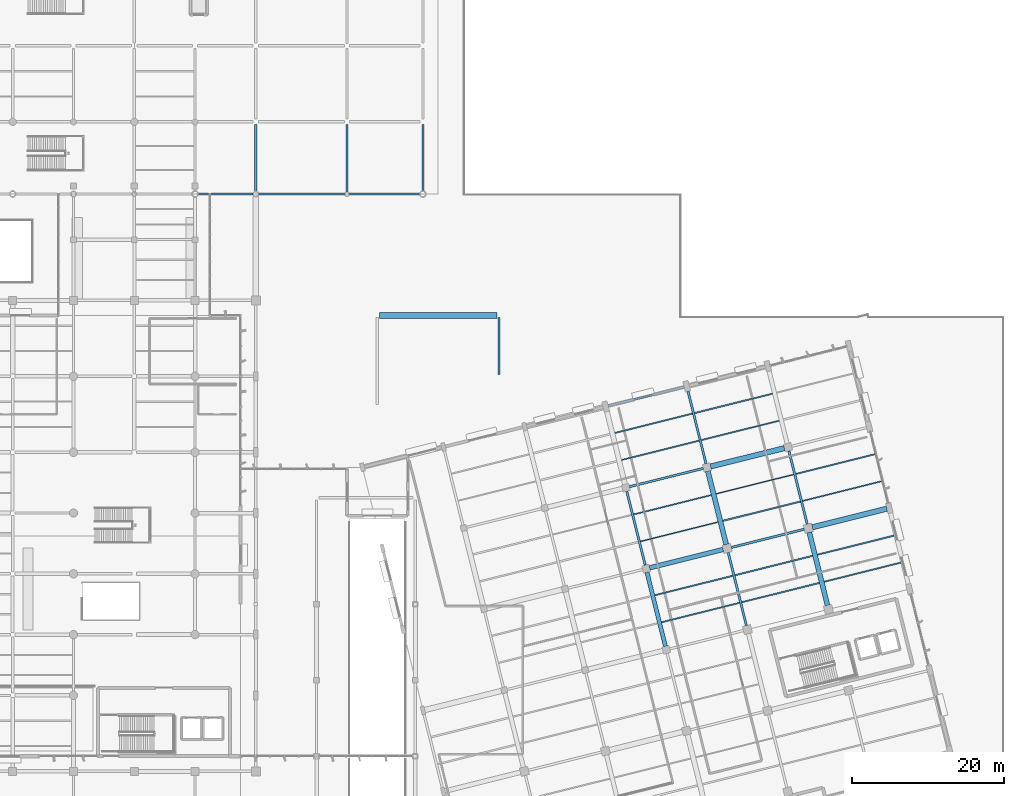
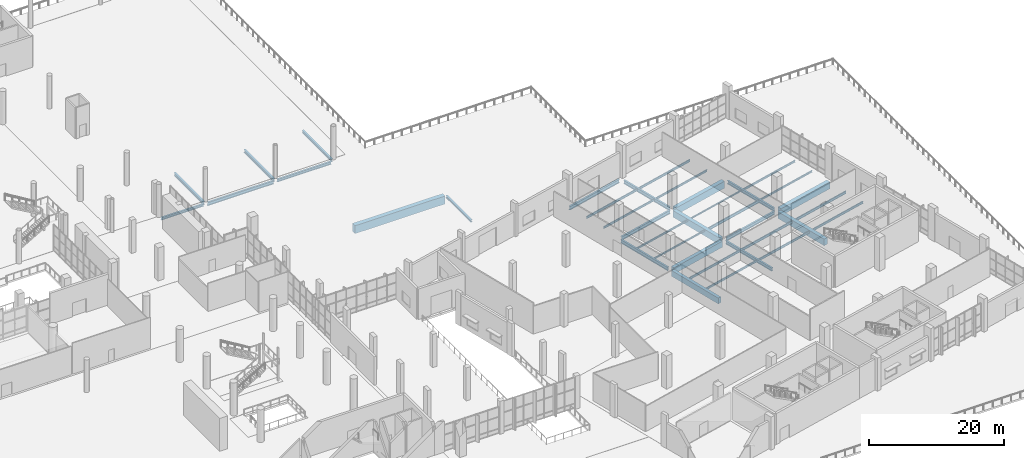
# One storey, part 101 of 163: 37 beams.
"""IFC4 building model written with IfcOpenShell, lengths in metres."""

from ifc_helpers import new_model, si_unit, direction, frame, origin, origin_2d, place, context, subcontext, project, spatial, rectangle, i_section, extrude, material, material_profile, profile_set, type_object, element, save


model = new_model("IFC4")

# Units and contexts
model_context = context("Model", 3, precision=1e-05, world=origin(), true_north=direction((0.0, 1.0)))
body_context = subcontext(model_context, "Body", "Model", "MODEL_VIEW")
ifc_project = project(units=[si_unit("LENGTHUNIT", "METRE"), si_unit("AREAUNIT", "SQUARE_METRE"), si_unit("VOLUMEUNIT", "CUBIC_METRE"), si_unit("PLANEANGLEUNIT", "RADIAN"), si_unit("MASSUNIT", "GRAM", prefix="KILO")], contexts=[model_context])

# Site, building, storey
site_placement = place(None, origin())
site = spatial("IfcSite", under=ifc_project, at=site_placement, CompositionType="ELEMENT")
building_placement = place(site_placement, origin())
building = spatial("IfcBuilding", under=site, at=building_placement, Name="Khorjan Park Terminus", CompositionType="ELEMENT")
storey_placement = place(building_placement, origin())
storey = spatial("IfcBuildingStorey", under=building, at=storey_placement, Name="L00", CompositionType="ELEMENT", Elevation=0.0)

# Beams
ifc_material_1 = material(Name="Steel S355", Category="steel")
ifc_material_profile_1 = material_profile(ifc_material_1, i_section(OverallWidth=0.3, OverallDepth=0.44, WebThickness=0.0115, FlangeThickness=0.021, FilletRadius=0.027, at=origin_2d()), Name="HEA 450")
ifc_profile_set_1 = profile_set([ifc_material_profile_1], Name="Steel S355")
beam_type_1 = type_object("IfcBeamType", Name="BM-HEA450", PredefinedType="BEAM", material=ifc_profile_set_1)
beam_1_placement = place(storey_placement, frame((128.4015, 102.0, -0.6), z_axis=(1.0, 0.0, 0.0), x_axis=(0.0, 1.0, 0.0)))
element("IfcBeam", 1, at=beam_1_placement, inside=storey, type_object=beam_type_1, Name="Primary floor girder SB-A45 (L00)", PredefinedType="BEAM", context=body_context, shape_type="SweptSolid", body=[
    extrude(i_section(OverallWidth=0.3, OverallDepth=0.44, WebThickness=0.0115, FlangeThickness=0.021, FilletRadius=0.027, at=origin_2d()), origin(), (0.0, 0.0, 1.0), 7.248),
])
ifc_material_profile_2 = material_profile(ifc_material_1, i_section(OverallWidth=0.3, OverallDepth=0.49, WebThickness=0.012, FlangeThickness=0.023, FilletRadius=0.027, at=origin_2d()), Name="HEA 500")
ifc_profile_set_2 = profile_set([ifc_material_profile_2], Name="Steel S355")
beam_type_2 = type_object("IfcBeamType", Name="BM-HEA500", PredefinedType="BEAM", material=ifc_profile_set_2)
beam_2_placement = place(storey_placement, frame((148.3, 102.0, -0.625), z_axis=(1.0, 0.0, 0.0), x_axis=(0.0, 1.0, 0.0)))
element("IfcBeam", 2, at=beam_2_placement, inside=storey, type_object=beam_type_2, Name="Primary floor girder SB-A50 (L00)", PredefinedType="BEAM", context=body_context, shape_type="SweptSolid", body=[
    extrude(i_section(OverallWidth=0.3, OverallDepth=0.49, WebThickness=0.012, FlangeThickness=0.023, FilletRadius=0.027, at=origin_2d()), origin(), (0.0, 0.0, 1.0), 9.2985),
])
beam_3_placement = place(storey_placement, frame((158.0, 102.4015, -0.625), z_axis=(0.0, 1.0, 0.0), x_axis=(-1.0, 0.0, 0.0)))
element("IfcBeam", 3, at=beam_3_placement, inside=storey, type_object=beam_type_2, Name="Primary floor girder SB-A50 (L00)", PredefinedType="BEAM", context=body_context, shape_type="SweptSolid", body=[
    extrude(i_section(OverallWidth=0.3, OverallDepth=0.49, WebThickness=0.012, FlangeThickness=0.023, FilletRadius=0.027, at=origin_2d()), origin(), (0.0, 0.0, 1.0), 8.7285),
])
ifc_material_profile_3 = material_profile(ifc_material_1, i_section(OverallWidth=0.3, OverallDepth=0.54, WebThickness=0.0125, FlangeThickness=0.024, FilletRadius=0.027, at=origin_2d()), Name="HEA 550")
ifc_profile_set_3 = profile_set([ifc_material_profile_3], Name="Steel S355")
beam_type_3 = type_object("IfcBeamType", Name="BM-HEA550", PredefinedType="BEAM", material=ifc_profile_set_3)
beam_4_placement = place(storey_placement, frame((148.0, 102.3, -0.65), z_axis=(0.0, 1.0, 0.0), x_axis=(-1.0, 0.0, 0.0)))
element("IfcBeam", 4, at=beam_4_placement, inside=storey, type_object=beam_type_3, Name="Primary floor girder SB-A55 (L00)", PredefinedType="BEAM", context=body_context, shape_type="SweptSolid", body=[
    extrude(i_section(OverallWidth=0.3, OverallDepth=0.54, WebThickness=0.0125, FlangeThickness=0.024, FilletRadius=0.027, at=origin_2d()), origin(), (0.0, 0.0, 1.0), 8.855),
])
ifc_material_profile_4 = material_profile(ifc_material_1, i_section(OverallWidth=0.3, OverallDepth=0.59, WebThickness=0.013, FlangeThickness=0.025, FilletRadius=0.027, at=origin_2d()), Name="HEA 600")
ifc_profile_set_4 = profile_set([ifc_material_profile_4], Name="Steel S355")
beam_type_4 = type_object("IfcBeamType", Name="BM-HEA600", PredefinedType="BEAM", material=ifc_profile_set_4)
beam_5_placement = place(storey_placement, frame((200.5777, 45.1931, -0.645), z_axis=(-0.241915884168, 0.970297225074, 0.0), x_axis=(-0.970297225074, -0.241915884168, 0.0)))
element("IfcBeam", 5, at=beam_5_placement, inside=storey, type_object=beam_type_4, Name="Primary skew-grid floor girder SB-A60 (L00)", PredefinedType="BEAM", context=body_context, shape_type="SweptSolid", body=[
    extrude(i_section(OverallWidth=0.3, OverallDepth=0.59, WebThickness=0.013, FlangeThickness=0.025, FilletRadius=0.027, at=origin_2d()), origin(), (0.0, 0.0, 1.0), 9.9101),
])
beam_6_placement = place(storey_placement, frame((208.5899, 58.5275, -0.645), z_axis=(-0.241926084459, 0.970294681867, 0.0), x_axis=(-0.970294681867, -0.241926084459, 0.0)))
element("IfcBeam", 6, at=beam_6_placement, inside=storey, type_object=beam_type_4, Name="Primary skew-grid floor girder SB-A60 (L00)", PredefinedType="BEAM", context=body_context, shape_type="SweptSolid", body=[
    extrude(i_section(OverallWidth=0.3, OverallDepth=0.59, WebThickness=0.013, FlangeThickness=0.025, FilletRadius=0.027, at=origin_2d()), origin(), (0.0, 0.0, 1.0), 9.9601),
])
ifc_material_profile_5 = material_profile(ifc_material_1, i_section(OverallWidth=0.3, OverallDepth=0.64, WebThickness=0.0135, FlangeThickness=0.026, FilletRadius=0.027, at=origin_2d()), Name="HEA 650")
ifc_profile_set_5 = profile_set([ifc_material_profile_5], Name="Steel S355")
beam_type_5 = type_object("IfcBeamType", Name="BM-HEA650", PredefinedType="BEAM", material=ifc_profile_set_5)
beam_7_placement = place(storey_placement, frame((185.1701, 63.4634, -0.67), z_axis=(0.970295301267, 0.24192360021, 0.0), x_axis=(-0.24192360021, 0.970295301267, 0.0)))
element("IfcBeam", 7, at=beam_7_placement, inside=storey, type_object=beam_type_5, Name="Primary skew-grid floor girder SB-A65 (L00)", PredefinedType="BEAM", context=body_context, shape_type="SweptSolid", body=[
    extrude(i_section(OverallWidth=0.3, OverallDepth=0.64, WebThickness=0.0135, FlangeThickness=0.026, FilletRadius=0.027, at=origin_2d()), origin(), (0.0, 0.0, 1.0), 10.035),
])
beam_8_placement = place(storey_placement, frame((182.3877, 74.1064, -0.67), z_axis=(0.970295784153, 0.241921663468, 0.0), x_axis=(-0.241921663468, 0.970295784153, 0.0)))
element("IfcBeam", 8, at=beam_8_placement, inside=storey, type_object=beam_type_5, Name="Primary skew-grid floor girder SB-A65 (L00)", PredefinedType="BEAM", context=body_context, shape_type="SweptSolid", body=[
    extrude(i_section(OverallWidth=0.3, OverallDepth=0.64, WebThickness=0.0135, FlangeThickness=0.026, FilletRadius=0.027, at=origin_2d()), origin(), (0.0, 0.0, 1.0), 10.3099),
])
beam_9_placement = place(storey_placement, frame((187.2615, 53.1325, -0.67), z_axis=(-0.241920438591, 0.970296089548, 0.0), x_axis=(-0.970296089548, -0.241920438591, 0.0)))
element("IfcBeam", 9, at=beam_9_placement, inside=storey, type_object=beam_type_5, Name="Primary skew-grid floor girder SB-A65 (L00)", PredefinedType="BEAM", context=body_context, shape_type="SweptSolid", body=[
    extrude(i_section(OverallWidth=0.3, OverallDepth=0.64, WebThickness=0.0135, FlangeThickness=0.026, FilletRadius=0.027, at=origin_2d()), origin(), (0.0, 0.0, 1.0), 10.0599),
])
beam_10_placement = place(storey_placement, frame((195.2676, 66.4911, -0.67), z_axis=(-0.241926355562, 0.970294614272, 0.0), x_axis=(-0.970294614272, -0.241926355562, 0.0)))
element("IfcBeam", 10, at=beam_10_placement, inside=storey, type_object=beam_type_5, Name="Primary skew-grid floor girder SB-A65 (L00)", PredefinedType="BEAM", context=body_context, shape_type="SweptSolid", body=[
    extrude(i_section(OverallWidth=0.3, OverallDepth=0.64, WebThickness=0.0135, FlangeThickness=0.026, FilletRadius=0.027, at=origin_2d()), origin(), (0.0, 0.0, 1.0), 9.81),
])
ifc_material_profile_6 = material_profile(ifc_material_1, i_section(OverallWidth=0.3, OverallDepth=0.4, WebThickness=0.0135, FlangeThickness=0.024, FilletRadius=0.027, at=origin_2d()), Name="HEB 400")
ifc_profile_set_6 = profile_set([ifc_material_profile_6], Name="Steel S355")
beam_type_6 = type_object("IfcBeamType", Name="BM-HEB400", PredefinedType="BEAM", material=ifc_profile_set_6)
beam_11_placement = place(storey_placement, frame((168.0, 78.27, -0.52), z_axis=(0.0, 1.0, 0.0), x_axis=(-1.0, 0.0, 0.0)))
element("IfcBeam", 11, at=beam_11_placement, inside=storey, type_object=beam_type_6, Name="Primary floor girder SB-B40 (L00)", PredefinedType="BEAM", context=body_context, shape_type="SweptSolid", body=[
    extrude(i_section(OverallWidth=0.3, OverallDepth=0.4, WebThickness=0.0135, FlangeThickness=0.024, FilletRadius=0.027, at=origin_2d()), origin(), (0.0, 0.0, 1.0), 7.46),
])
ifc_material_profile_7 = material_profile(ifc_material_1, i_section(OverallWidth=0.3, OverallDepth=0.55, WebThickness=0.015, FlangeThickness=0.029, FilletRadius=0.027, at=origin_2d()), Name="HEB 550")
ifc_profile_set_7 = profile_set([ifc_material_profile_7], Name="Steel S355")
beam_type_7 = type_object("IfcBeamType", Name="BM-HEB550", PredefinedType="BEAM", material=ifc_profile_set_7)
beam_12_placement = place(storey_placement, frame((136.0, 102.3505, -0.655), z_axis=(0.0, 1.0, 0.0), x_axis=(-1.0, 0.0, 0.0)))
element("IfcBeam", 12, at=beam_12_placement, inside=storey, type_object=beam_type_7, Name="Primary floor girder SB-B55 (L00)", PredefinedType="BEAM", context=body_context, shape_type="SweptSolid", body=[
    extrude(i_section(OverallWidth=0.3, OverallDepth=0.55, WebThickness=0.015, FlangeThickness=0.029, FilletRadius=0.027, at=origin_2d()), origin(), (0.0, 0.0, 1.0), 8.7795),
])
ifc_material_profile_8 = material_profile(ifc_material_1, i_section(OverallWidth=0.3, OverallDepth=0.6, WebThickness=0.0155, FlangeThickness=0.03, FilletRadius=0.027, at=origin_2d()), Name="HEB 600")
ifc_profile_set_8 = profile_set([ifc_material_profile_8], Name="Steel S355")
beam_type_8 = type_object("IfcBeamType", Name="BM-HEB600", PredefinedType="BEAM", material=ifc_profile_set_8)
beam_13_placement = place(storey_placement, frame((198.5773, 55.4694, -0.65), z_axis=(0.970294265828, 0.24192775306, 0.0), x_axis=(-0.24192775306, 0.970294265828, 0.0)))
element("IfcBeam", 13, at=beam_13_placement, inside=storey, type_object=beam_type_8, Name="Primary skew-grid floor girder SB-B60 (L00)", PredefinedType="BEAM", context=body_context, shape_type="SweptSolid", body=[
    extrude(i_section(OverallWidth=0.3, OverallDepth=0.6, WebThickness=0.0155, FlangeThickness=0.03, FilletRadius=0.027, at=origin_2d()), origin(), (0.0, 0.0, 1.0), 9.91),
])
beam_14_placement = place(storey_placement, frame((136.3505, 102.0, -0.68), z_axis=(1.0, 0.0, 0.0), x_axis=(0.0, 1.0, 0.0)))
element("IfcBeam", 14, at=beam_14_placement, inside=storey, type_object=beam_type_8, Name="Primary floor girder SB-B60 (L00)", PredefinedType="BEAM", context=body_context, shape_type="SweptSolid", body=[
    extrude(i_section(OverallWidth=0.3, OverallDepth=0.6, WebThickness=0.0155, FlangeThickness=0.03, FilletRadius=0.027, at=origin_2d()), origin(), (0.0, 0.0, 1.0), 11.3495),
])
ifc_material_2 = material(Name="Concrete C40/50", Category="concrete")
ifc_material_profile_9 = material_profile(ifc_material_2, rectangle(XDim=0.55, YDim=1.05, at=origin_2d()), Name="RC 550x1050")
ifc_profile_set_9 = profile_set([ifc_material_profile_9], Name="Concrete C40/50")
beam_type_9 = type_object("IfcBeamType", Name="BM-RC550x1050", PredefinedType="BEAM", material=ifc_profile_set_9)
beam_15_placement = place(storey_placement, frame((189.9226, 42.4592, -0.875), z_axis=(-0.24191810525, 0.970296671309, 0.0), x_axis=(-0.970296671309, -0.24191810525, 0.0)))
element("IfcBeam", 15, at=beam_15_placement, inside=storey, type_object=beam_type_9, Name="Primary skew-grid floor girder GB-105 (L00)", PredefinedType="BEAM", context=body_context, shape_type="SweptSolid", body=[
    extrude(rectangle(XDim=0.55, YDim=1.05, at=origin_2d()), origin(), (0.0, 0.0, 1.0), 10.06),
])
ifc_material_profile_10 = material_profile(ifc_material_2, rectangle(XDim=0.6, YDim=1.1, at=origin_2d()), Name="RC 600x1100")
ifc_profile_set_10 = profile_set([ifc_material_profile_10], Name="Concrete C40/50")
beam_type_10 = type_object("IfcBeamType", Name="BM-RC600x1100", PredefinedType="BEAM", material=ifc_profile_set_10)
beam_16_placement = place(storey_placement, frame((187.8312, 52.7901, -0.9), z_axis=(0.970295477616, 0.241922892916, 0.0), x_axis=(-0.241922892916, 0.970295477616, 0.0)))
element("IfcBeam", 16, at=beam_16_placement, inside=storey, type_object=beam_type_10, Name="Primary skew-grid floor girder GB-11 (L00)", PredefinedType="BEAM", context=body_context, shape_type="SweptSolid", body=[
    extrude(rectangle(XDim=0.6, YDim=1.1, at=origin_2d()), origin(), (0.0, 0.0, 1.0), 9.985),
])
ifc_material_profile_11 = material_profile(ifc_material_2, rectangle(XDim=0.65, YDim=1.2, at=origin_2d()), Name="RC 650x1200")
ifc_profile_set_11 = profile_set([ifc_material_profile_11], Name="Concrete C40/50")
beam_type_11 = type_object("IfcBeamType", Name="BM-RC650x1200", PredefinedType="BEAM", material=ifc_profile_set_11)
beam_17_placement = place(storey_placement, frame((197.9166, 55.8664, -0.95), z_axis=(-0.241918988709, 0.970296451041, 0.0), x_axis=(-0.970296451041, -0.241918988709, 0.0)))
element("IfcBeam", 17, at=beam_17_placement, inside=storey, type_object=beam_type_11, Name="Primary skew-grid floor girder GB-12 (L00)", PredefinedType="BEAM", context=body_context, shape_type="SweptSolid", body=[
    extrude(rectangle(XDim=0.65, YDim=1.2, at=origin_2d()), origin(), (0.0, 0.0, 1.0), 9.9599),
])
beam_18_placement = place(storey_placement, frame((211.251, 47.8543, -0.95), z_axis=(-0.24192775306, 0.970294265828, 0.0), x_axis=(-0.970294265828, -0.24192775306, 0.0)))
element("IfcBeam", 18, at=beam_18_placement, inside=storey, type_object=beam_type_11, Name="Primary skew-grid floor girder GB-12 (L00)", PredefinedType="BEAM", context=body_context, shape_type="SweptSolid", body=[
    extrude(rectangle(XDim=0.65, YDim=1.2, at=origin_2d()), origin(), (0.0, 0.0, 1.0), 9.91),
])
ifc_material_profile_12 = material_profile(ifc_material_2, rectangle(XDim=0.7, YDim=1.25, at=origin_2d()), Name="RC 700x1250")
ifc_profile_set_12 = profile_set([ifc_material_profile_12], Name="Concrete C40/50")
beam_type_12 = type_object("IfcBeamType", Name="BM-RC700x1250", PredefinedType="BEAM", material=ifc_profile_set_12)
beam_19_placement = place(storey_placement, frame((209.2505, 58.1306, -0.975), z_axis=(0.970296490369, 0.241918830968, 0.0), x_axis=(-0.241918830968, 0.970296490369, 0.0)))
element("IfcBeam", 19, at=beam_19_placement, inside=storey, type_object=beam_type_12, Name="Primary skew-grid floor girder GB-125 (L00)", PredefinedType="BEAM", context=body_context, shape_type="SweptSolid", body=[
    extrude(rectangle(XDim=0.7, YDim=1.25, at=origin_2d()), origin(), (0.0, 0.0, 1.0), 10.11),
])
beam_20_placement = place(storey_placement, frame((195.8676, 66.1306, -0.975), z_axis=(0.970296854054, 0.241917372283, 0.0), x_axis=(-0.241917372283, 0.970296854054, 0.0)))
element("IfcBeam", 20, at=beam_20_placement, inside=storey, type_object=beam_type_12, Name="Primary skew-grid floor girder GB-125 (L00)", PredefinedType="BEAM", context=body_context, shape_type="SweptSolid", body=[
    extrude(rectangle(XDim=0.7, YDim=1.25, at=origin_2d()), origin(), (0.0, 0.0, 1.0), 10.01),
])
ifc_material_3 = material(Name="Concrete C50/60", Category="concrete")
ifc_material_profile_13 = material_profile(ifc_material_3, rectangle(XDim=0.75, YDim=1.45, at=origin_2d()), Name="RC 750x1450")
ifc_profile_set_13 = profile_set([ifc_material_profile_13], Name="Concrete C50/60")
beam_type_13 = type_object("IfcBeamType", Name="BM-RC750x1450", PredefinedType="BEAM", material=ifc_profile_set_13)
beam_21_placement = place(storey_placement, frame((152.27, 86.0, -1.045), z_axis=(1.0, 0.0, 0.0), x_axis=(0.0, 1.0, 0.0)))
element("IfcBeam", 21, at=beam_21_placement, inside=storey, type_object=beam_type_13, Name="Primary floor girder GB-14 (L00)", PredefinedType="BEAM", context=body_context, shape_type="SweptSolid", body=[
    extrude(rectangle(XDim=0.75, YDim=1.45, at=origin_2d()), origin(), (0.0, 0.0, 1.0), 15.46),
])
ifc_material_profile_14 = material_profile(ifc_material_1, i_section(OverallWidth=0.135, OverallDepth=0.27, WebThickness=0.0066, FlangeThickness=0.0102, FilletRadius=0.015, at=origin_2d()), Name="IPE 270")
ifc_profile_set_14 = profile_set([ifc_material_profile_14], Name="Steel S355")
beam_type_14 = type_object("IfcBeamType", Name="JS-IPE270", PredefinedType="JOIST", material=ifc_profile_set_14)
beam_22_placement = place(storey_placement, frame((196.5897, 62.5317, -0.485), z_axis=(0.970296558074, 0.241918559415, 0.0), x_axis=(-0.241918559415, 0.970296558074, 0.0)))
element("IfcBeam", 22, at=beam_22_placement, inside=storey, type_object=beam_type_14, Name="Secondary composite floor joist SJ-27 (L00)", PredefinedType="JOIST", context=body_context, shape_type="SweptSolid", body=[
    extrude(i_section(OverallWidth=0.135, OverallDepth=0.27, WebThickness=0.0066, FlangeThickness=0.0102, FilletRadius=0.015, at=origin_2d()), origin(), (0.0, 0.0, 1.0), 10.525),
])
ifc_material_profile_15 = material_profile(ifc_material_1, i_section(OverallWidth=0.15, OverallDepth=0.3, WebThickness=0.0071, FlangeThickness=0.0107, FilletRadius=0.015, at=origin_2d()), Name="IPE 300")
ifc_profile_set_15 = profile_set([ifc_material_profile_15], Name="Steel S355")
beam_type_15 = type_object("IfcBeamType", Name="JS-IPE300", PredefinedType="JOIST", material=ifc_profile_set_15)
beam_23_placement = place(storey_placement, frame((186.6337, 56.2705, -0.5), z_axis=(0.970296002015, 0.241920789668, 0.0), x_axis=(-0.241920789668, 0.970296002015, 0.0)))
element("IfcBeam", 23, at=beam_23_placement, inside=storey, type_object=beam_type_15, Name="Secondary composite floor joist SJ-30 (L00)", PredefinedType="JOIST", context=body_context, shape_type="SweptSolid", body=[
    extrude(i_section(OverallWidth=0.15, OverallDepth=0.3, WebThickness=0.0071, FlangeThickness=0.0107, FilletRadius=0.015, at=origin_2d()), origin(), (0.0, 0.0, 1.0), 10.5249),
])
ifc_material_profile_16 = material_profile(ifc_material_1, i_section(OverallWidth=0.16, OverallDepth=0.33, WebThickness=0.0075, FlangeThickness=0.0115, FilletRadius=0.018, at=origin_2d()), Name="IPE 330")
ifc_profile_set_16 = profile_set([ifc_material_profile_16], Name="Steel S355")
beam_type_16 = type_object("IfcBeamType", Name="JS-IPE330", PredefinedType="JOIST", material=ifc_profile_set_16)
beam_24_placement = place(storey_placement, frame((185.7467, 59.8282, -0.515), z_axis=(0.970296002015, 0.241920789668, 0.0), x_axis=(-0.241920789668, 0.970296002015, 0.0)))
element("IfcBeam", 24, at=beam_24_placement, inside=storey, type_object=beam_type_16, Name="Secondary composite floor joist SJ-33 (L00)", PredefinedType="JOIST", context=body_context, shape_type="SweptSolid", body=[
    extrude(i_section(OverallWidth=0.16, OverallDepth=0.33, WebThickness=0.0075, FlangeThickness=0.0115, FilletRadius=0.018, at=origin_2d()), origin(), (0.0, 0.0, 1.0), 10.5249),
])
beam_25_placement = place(storey_placement, frame((207.9802, 61.5928, -0.515), z_axis=(0.970295138144, 0.241924254455, 0.0), x_axis=(-0.241924254455, 0.970295138144, 0.0)))
element("IfcBeam", 25, at=beam_25_placement, inside=storey, type_object=beam_type_16, Name="Secondary composite floor joist SJ-33 (L00)", PredefinedType="JOIST", context=body_context, shape_type="SweptSolid", body=[
    extrude(i_section(OverallWidth=0.16, OverallDepth=0.33, WebThickness=0.0075, FlangeThickness=0.0115, FilletRadius=0.018, at=origin_2d()), origin(), (0.0, 0.0, 1.0), 10.7),
])
ifc_material_profile_17 = material_profile(ifc_material_1, i_section(OverallWidth=0.17, OverallDepth=0.36, WebThickness=0.008, FlangeThickness=0.0127, FilletRadius=0.018, at=origin_2d()), Name="IPE 360")
ifc_profile_set_17 = profile_set([ifc_material_profile_17], Name="Steel S355")
beam_type_17 = type_object("IfcBeamType", Name="JS-IPE360", PredefinedType="JOIST", material=ifc_profile_set_17)
beam_26_placement = place(storey_placement, frame((189.4161, 45.6275, -0.53), z_axis=(0.970296385626, 0.241919251074, 0.0), x_axis=(-0.241919251074, 0.970296385626, 0.0)))
element("IfcBeam", 26, at=beam_26_placement, inside=storey, type_object=beam_type_17, Name="Secondary composite floor joist SJ-36 (L00)", PredefinedType="JOIST", context=body_context, shape_type="SweptSolid", body=[
    extrude(i_section(OverallWidth=0.17, OverallDepth=0.36, WebThickness=0.008, FlangeThickness=0.0127, FilletRadius=0.018, at=origin_2d()), origin(), (0.0, 0.0, 1.0), 10.575),
])
beam_27_placement = place(storey_placement, frame((184.1423, 66.9861, -0.53), z_axis=(0.970296558074, 0.241918559415, 0.0), x_axis=(-0.241918559415, 0.970296558074, 0.0)))
element("IfcBeam", 27, at=beam_27_placement, inside=storey, type_object=beam_type_17, Name="Secondary composite floor joist SJ-36 (L00)", PredefinedType="JOIST", context=body_context, shape_type="SweptSolid", body=[
    extrude(i_section(OverallWidth=0.17, OverallDepth=0.36, WebThickness=0.008, FlangeThickness=0.0127, FilletRadius=0.018, at=origin_2d()), origin(), (0.0, 0.0, 1.0), 10.525),
])
beam_28_placement = place(storey_placement, frame((194.6458, 69.6049, -0.53), z_axis=(0.970296385626, 0.241919251074, 0.0), x_axis=(-0.241919251074, 0.970296385626, 0.0)))
element("IfcBeam", 28, at=beam_28_placement, inside=storey, type_object=beam_type_17, Name="Secondary composite floor joist SJ-36 (L00)", PredefinedType="JOIST", context=body_context, shape_type="SweptSolid", body=[
    extrude(i_section(OverallWidth=0.17, OverallDepth=0.36, WebThickness=0.008, FlangeThickness=0.0127, FilletRadius=0.018, at=origin_2d()), origin(), (0.0, 0.0, 1.0), 10.575),
])
beam_29_placement = place(storey_placement, frame((207.0932, 65.1505, -0.53), z_axis=(0.970296784962, 0.241917649404, 0.0), x_axis=(-0.241917649404, 0.970296784962, 0.0)))
element("IfcBeam", 29, at=beam_29_placement, inside=storey, type_object=beam_type_17, Name="Secondary composite floor joist SJ-36 (L00)", PredefinedType="JOIST", context=body_context, shape_type="SweptSolid", body=[
    extrude(i_section(OverallWidth=0.17, OverallDepth=0.36, WebThickness=0.008, FlangeThickness=0.0127, FilletRadius=0.018, at=origin_2d()), origin(), (0.0, 0.0, 1.0), 10.6999),
])
ifc_material_profile_18 = material_profile(ifc_material_1, i_section(OverallWidth=0.18, OverallDepth=0.4, WebThickness=0.0086, FlangeThickness=0.0135, FilletRadius=0.021, at=origin_2d()), Name="IPE 400")
ifc_profile_set_18 = profile_set([ifc_material_profile_18], Name="Steel S355")
beam_type_18 = type_object("IfcBeamType", Name="JS-IPE400", PredefinedType="JOIST", material=ifc_profile_set_18)
beam_30_placement = place(storey_placement, frame((188.5291, 49.1852, -0.55), z_axis=(0.970296385626, 0.241919251074, 0.0), x_axis=(-0.241919251074, 0.970296385626, 0.0)))
element("IfcBeam", 30, at=beam_30_placement, inside=storey, type_object=beam_type_18, Name="Secondary composite floor joist SJ-40 (L00)", PredefinedType="JOIST", context=body_context, shape_type="SweptSolid", body=[
    extrude(i_section(OverallWidth=0.18, OverallDepth=0.4, WebThickness=0.0086, FlangeThickness=0.0135, FilletRadius=0.021, at=origin_2d()), origin(), (0.0, 0.0, 1.0), 10.575),
])
beam_31_placement = place(storey_placement, frame((183.2553, 70.5438, -0.55), z_axis=(0.970296558074, 0.241918559415, 0.0), x_axis=(-0.241918559415, 0.970296558074, 0.0)))
element("IfcBeam", 31, at=beam_31_placement, inside=storey, type_object=beam_type_18, Name="Secondary composite floor joist SJ-40 (L00)", PredefinedType="JOIST", context=body_context, shape_type="SweptSolid", body=[
    extrude(i_section(OverallWidth=0.18, OverallDepth=0.4, WebThickness=0.0086, FlangeThickness=0.0135, FilletRadius=0.021, at=origin_2d()), origin(), (0.0, 0.0, 1.0), 10.525),
])
beam_32_placement = place(storey_placement, frame((199.9681, 48.2584, -0.55), z_axis=(0.970296002015, 0.241920789668, 0.0), x_axis=(-0.241920789668, 0.970296002015, 0.0)))
element("IfcBeam", 32, at=beam_32_placement, inside=storey, type_object=beam_type_18, Name="Secondary composite floor joist SJ-40 (L00)", PredefinedType="JOIST", context=body_context, shape_type="SweptSolid", body=[
    extrude(i_section(OverallWidth=0.18, OverallDepth=0.4, WebThickness=0.0086, FlangeThickness=0.0135, FilletRadius=0.021, at=origin_2d()), origin(), (0.0, 0.0, 1.0), 10.5249),
])
beam_33_placement = place(storey_placement, frame((193.7588, 73.1626, -0.55), z_axis=(0.970295832192, 0.241921470792, 0.0), x_axis=(-0.241921470792, 0.970295832192, 0.0)))
element("IfcBeam", 33, at=beam_33_placement, inside=storey, type_object=beam_type_18, Name="Secondary composite floor joist SJ-40 (L00)", PredefinedType="JOIST", context=body_context, shape_type="SweptSolid", body=[
    extrude(i_section(OverallWidth=0.18, OverallDepth=0.4, WebThickness=0.0086, FlangeThickness=0.0135, FilletRadius=0.021, at=origin_2d()), origin(), (0.0, 0.0, 1.0), 10.5749),
])
beam_34_placement = place(storey_placement, frame((210.8111, 50.9619, -0.55), z_axis=(0.970295586552, 0.241922456002, 0.0), x_axis=(-0.241922456002, 0.970295586552, 0.0)))
element("IfcBeam", 34, at=beam_34_placement, inside=storey, type_object=beam_type_18, Name="Secondary composite floor joist SJ-40 (L00)", PredefinedType="JOIST", context=body_context, shape_type="SweptSolid", body=[
    extrude(i_section(OverallWidth=0.18, OverallDepth=0.4, WebThickness=0.0086, FlangeThickness=0.0135, FilletRadius=0.021, at=origin_2d()), origin(), (0.0, 0.0, 1.0), 10.4),
])
ifc_material_profile_19 = material_profile(ifc_material_1, i_section(OverallWidth=0.19, OverallDepth=0.45, WebThickness=0.0094, FlangeThickness=0.0146, FilletRadius=0.021, at=origin_2d()), Name="IPE 450")
ifc_profile_set_19 = profile_set([ifc_material_profile_19], Name="Steel S355")
beam_type_19 = type_object("IfcBeamType", Name="JS-IPE450", PredefinedType="JOIST", material=ifc_profile_set_19)
beam_35_placement = place(storey_placement, frame((199.081, 51.8161, -0.575), z_axis=(0.970296558074, 0.241918559415, 0.0), x_axis=(-0.241918559415, 0.970296558074, 0.0)))
element("IfcBeam", 35, at=beam_35_placement, inside=storey, type_object=beam_type_19, Name="Secondary composite floor joist SJ-45 (L00)", PredefinedType="JOIST", context=body_context, shape_type="SweptSolid", body=[
    extrude(i_section(OverallWidth=0.19, OverallDepth=0.45, WebThickness=0.0094, FlangeThickness=0.0146, FilletRadius=0.021, at=origin_2d()), origin(), (0.0, 0.0, 1.0), 10.525),
])
beam_36_placement = place(storey_placement, frame((209.9241, 54.5196, -0.575), z_axis=(0.970297843589, 0.241913403364, 0.0), x_axis=(-0.241913403364, 0.970297843589, 0.0)))
element("IfcBeam", 36, at=beam_36_placement, inside=storey, type_object=beam_type_19, Name="Secondary composite floor joist SJ-45 (L00)", PredefinedType="JOIST", context=body_context, shape_type="SweptSolid", body=[
    extrude(i_section(OverallWidth=0.19, OverallDepth=0.45, WebThickness=0.0094, FlangeThickness=0.0146, FilletRadius=0.021, at=origin_2d()), origin(), (0.0, 0.0, 1.0), 10.4),
])
ifc_material_profile_20 = material_profile(ifc_material_1, i_section(OverallWidth=0.2, OverallDepth=0.5, WebThickness=0.0102, FlangeThickness=0.016, FilletRadius=0.021, at=origin_2d()), Name="IPE 500")
ifc_profile_set_20 = profile_set([ifc_material_profile_20], Name="Steel S355")
beam_type_20 = type_object("IfcBeamType", Name="JS-IPE500", PredefinedType="JOIST", material=ifc_profile_set_20)
beam_37_placement = place(storey_placement, frame((197.4767, 58.974, -0.6), z_axis=(0.970296558074, 0.241918559415, 0.0), x_axis=(-0.241918559415, 0.970296558074, 0.0)))
element("IfcBeam", 37, at=beam_37_placement, inside=storey, type_object=beam_type_20, Name="Secondary composite floor joist SJ-50 (L00)", PredefinedType="JOIST", context=body_context, shape_type="SweptSolid", body=[
    extrude(i_section(OverallWidth=0.2, OverallDepth=0.5, WebThickness=0.0102, FlangeThickness=0.016, FilletRadius=0.021, at=origin_2d()), origin(), (0.0, 0.0, 1.0), 10.525),
])

save(model, "model.ifc")
